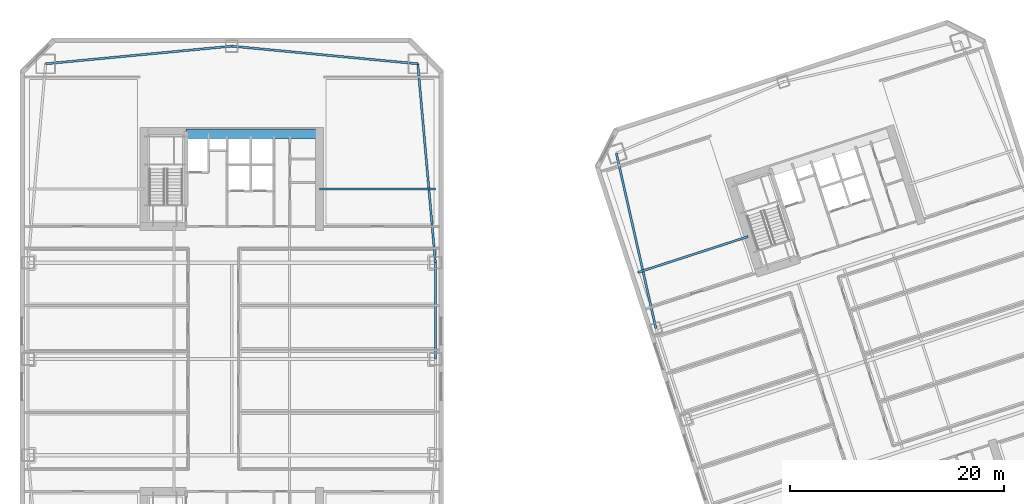
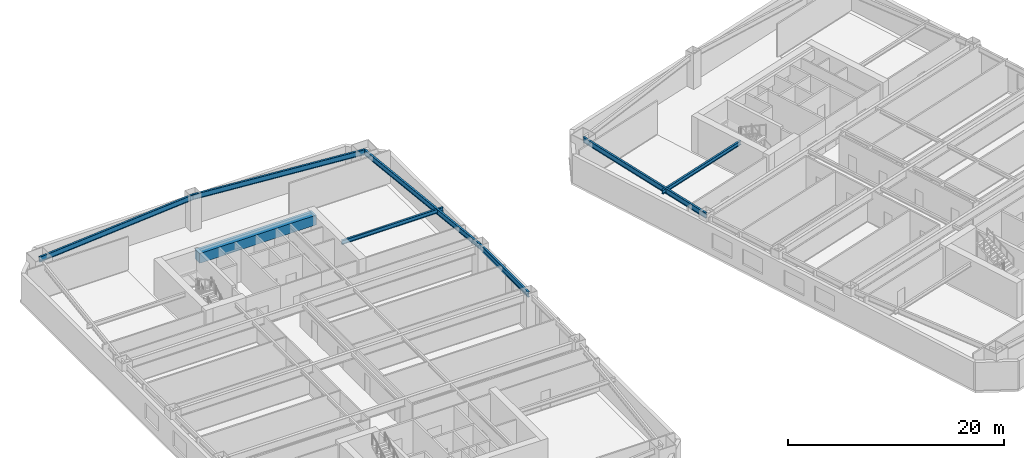
# One storey, part 5 of 24: 8 beams.
"""IFC4 building model written with IfcOpenShell, lengths in metres."""

from ifc_helpers import new_model, si_unit, direction, frame, origin, origin_2d, place, context, subcontext, project, spatial, rectangle, i_section, extrude, material, material_profile, profile_set, type_object, element, save


model = new_model("IFC4")

# Units and contexts
model_context = context("Model", 3, precision=1e-05, world=origin(), true_north=direction((0.0, 1.0)))
body_context = subcontext(model_context, "Body", "Model", "MODEL_VIEW")
ifc_project = project(units=[si_unit("LENGTHUNIT", "METRE"), si_unit("AREAUNIT", "SQUARE_METRE"), si_unit("VOLUMEUNIT", "CUBIC_METRE"), si_unit("PLANEANGLEUNIT", "RADIAN"), si_unit("MASSUNIT", "GRAM", prefix="KILO")], contexts=[model_context])

# Site, building, storey
site_placement = place(None, origin())
site = spatial("IfcSite", under=ifc_project, at=site_placement, CompositionType="ELEMENT")
building_placement = place(site_placement, origin())
building = spatial("IfcBuilding", under=site, at=building_placement, Name="Qiaolan Cultural Towers", CompositionType="ELEMENT")
storey_placement = place(building_placement, frame((0.0, 0.0, 30.0)))
storey = spatial("IfcBuildingStorey", under=building, at=storey_placement, Name="L06", CompositionType="ELEMENT", Elevation=30.0)

# Beams
ifc_material_1 = material(Name="Steel Q355B", Category="steel")
ifc_material_profile_1 = material_profile(ifc_material_1, i_section(OverallWidth=0.199951171875, OverallDepth=0.449951171875, WebThickness=0.009033203125, FlangeThickness=0.013916015625, at=origin_2d()), Name="HN450x200x9x14")
ifc_profile_set_1 = profile_set([ifc_material_profile_1], Name="Steel Q355B")
beam_type_1 = type_object("IfcBeamType", Name="BM-LNT-HN450x200x9x14", PredefinedType="LINTEL", material=ifc_profile_set_1)
for number, where, z_axis, x_axis, name in (
    (1, (38.199951171875, 49.89990234375, 3.514892578125), (1.0, 0.0, 0.0), (0.0, 1.0, 0.0), "L06 T1 Core Flank Tie Lintel EN"),
    (2, (78.291259765625, 45.44189453125, 3.514892578125), (-0.951052421511, -0.309029596542, 0.0), (0.309029596542, -0.951052421511, 0.0), "L06 T2 Core Flank Tie Lintel WN"),
):
    element("IfcBeam", number, at=place(storey_placement, frame(where, z_axis=z_axis, x_axis=x_axis)), inside=storey, type_object=beam_type_1, Name=name, PredefinedType="LINTEL", context=body_context, shape_type="SweptSolid", body=[
        extrude(i_section(OverallWidth=0.199951171875, OverallDepth=0.449951171875, WebThickness=0.009033203125, FlangeThickness=0.013916015625, at=origin_2d()), origin(), (0.0, 0.0, 1.0), 10.85009765625),
    ])
ifc_material_2 = material(Name="Concrete C50", Category="concrete")
ifc_material_profile_2 = material_profile(ifc_material_2, rectangle(XDim=0.89990234375, YDim=1.10009765625, at=origin_2d()), Name="RC900x1100")
ifc_profile_set_2 = profile_set([ifc_material_profile_2], Name="Concrete C50")
beam_type_2 = type_object("IfcBeamType", Name="BM-RC900x1100", PredefinedType="BEAM", material=ifc_profile_set_2)
beam_1_placement = place(storey_placement, frame((25.719970703125, 55.050048828125, 3.18994140625), z_axis=(1.0, 0.0, 0.0), x_axis=(0.0, 1.0, 0.0)))
element("IfcBeam", 3, at=beam_1_placement, inside=storey, type_object=beam_type_2, Name="L06 T1 Core Header Girder N", PredefinedType="BEAM", context=body_context, shape_type="SweptSolid", body=[
    extrude(rectangle(XDim=0.89990234375, YDim=1.10009765625, at=origin_2d()), origin(), (0.0, 0.0, 1.0), 12.47998046875),
])
ifc_material_3 = material(Name="Steel Q355B", Category="steel")
ifc_material_profile_3 = material_profile(ifc_material_3, i_section(OverallWidth=0.199951171875, OverallDepth=0.60009765625, WebThickness=0.010986328125, FlangeThickness=0.01708984375, at=origin_2d()), Name="HN600x200x11x17")
ifc_profile_set_3 = profile_set([ifc_material_profile_3], Name="Steel Q355B")
beam_type_3 = type_object("IfcBeamType", Name="BM-SPD-HN600x200x11x17", PredefinedType="SPANDREL", material=ifc_profile_set_3)
beam_2_placement = place(storey_placement, frame((49.050048828125, 34.0, 3.43994140625), z_axis=(0.0, 1.0, 0.0), x_axis=(-1.0, 0.0, 0.0)))
element("IfcBeam", 4, at=beam_2_placement, inside=storey, type_object=beam_type_3, Name="L06 T1 Perimeter Spandrel Beam 5", PredefinedType="SPANDREL", context=body_context, shape_type="SweptSolid", body=[
    extrude(i_section(OverallWidth=0.199951171875, OverallDepth=0.60009765625, WebThickness=0.010986328125, FlangeThickness=0.01708984375, at=origin_2d()), origin(), (0.0, 0.0, 1.0), 9.0),
])
beam_3_placement = place(storey_placement, frame((49.050048828125, 43.0, 3.43994140625), z_axis=(-0.08837000091, 0.996087718496, 0.0), x_axis=(-0.996087718496, -0.08837000091, 0.0)))
element("IfcBeam", 5, at=beam_3_placement, inside=storey, type_object=beam_type_3, Name="L06 T1 Perimeter Spandrel Beam 6", PredefinedType="SPANDREL", context=body_context, shape_type="SweptSolid", body=[
    extrude(i_section(OverallWidth=0.199951171875, OverallDepth=0.60009765625, WebThickness=0.010986328125, FlangeThickness=0.01708984375, at=origin_2d()), origin(), (0.0, 0.0, 1.0), 18.673095703125),
])
for number, where, z_axis, x_axis, name in (
    (6, (47.39990234375, 61.60009765625, 3.43994140625), (-0.995534437156, 0.094399070104, 0.0), (-0.094399070104, -0.995534437156, 0.0), "L06 T1 Perimeter Spandrel Beam 7"),
    (7, (30.0, 63.25, 3.43994140625), (-0.995534437156, -0.094399070104, 0.0), (0.094399070104, -0.995534437156, 0.0), "L06 T1 Perimeter Spandrel Beam 8"),
):
    element("IfcBeam", number, at=place(storey_placement, frame(where, z_axis=z_axis, x_axis=x_axis)), inside=storey, type_object=beam_type_3, Name=name, PredefinedType="SPANDREL", context=body_context, shape_type="SweptSolid", body=[
        extrude(i_section(OverallWidth=0.199951171875, OverallDepth=0.60009765625, WebThickness=0.010986328125, FlangeThickness=0.01708984375, at=origin_2d()), origin(), (0.0, 0.0, 1.0), 17.47802734375),
    ])
beam_4_placement = place(storey_placement, frame((65.972900390625, 53.22607421875, 3.43994140625), z_axis=(0.220430557386, -0.975402670373, 0.0), x_axis=(0.975402670373, 0.220430557386, 0.0)))
element("IfcBeam", 8, at=beam_4_placement, inside=storey, type_object=beam_type_3, Name="L06 T2 Perimeter Spandrel Beam 9", PredefinedType="SPANDREL", context=body_context, shape_type="SweptSolid", body=[
    extrude(i_section(OverallWidth=0.199951171875, OverallDepth=0.60009765625, WebThickness=0.010986328125, FlangeThickness=0.01708984375, at=origin_2d()), origin(), (0.0, 0.0, 1.0), 16.78076171875),
])

save(model, "model.ifc")
